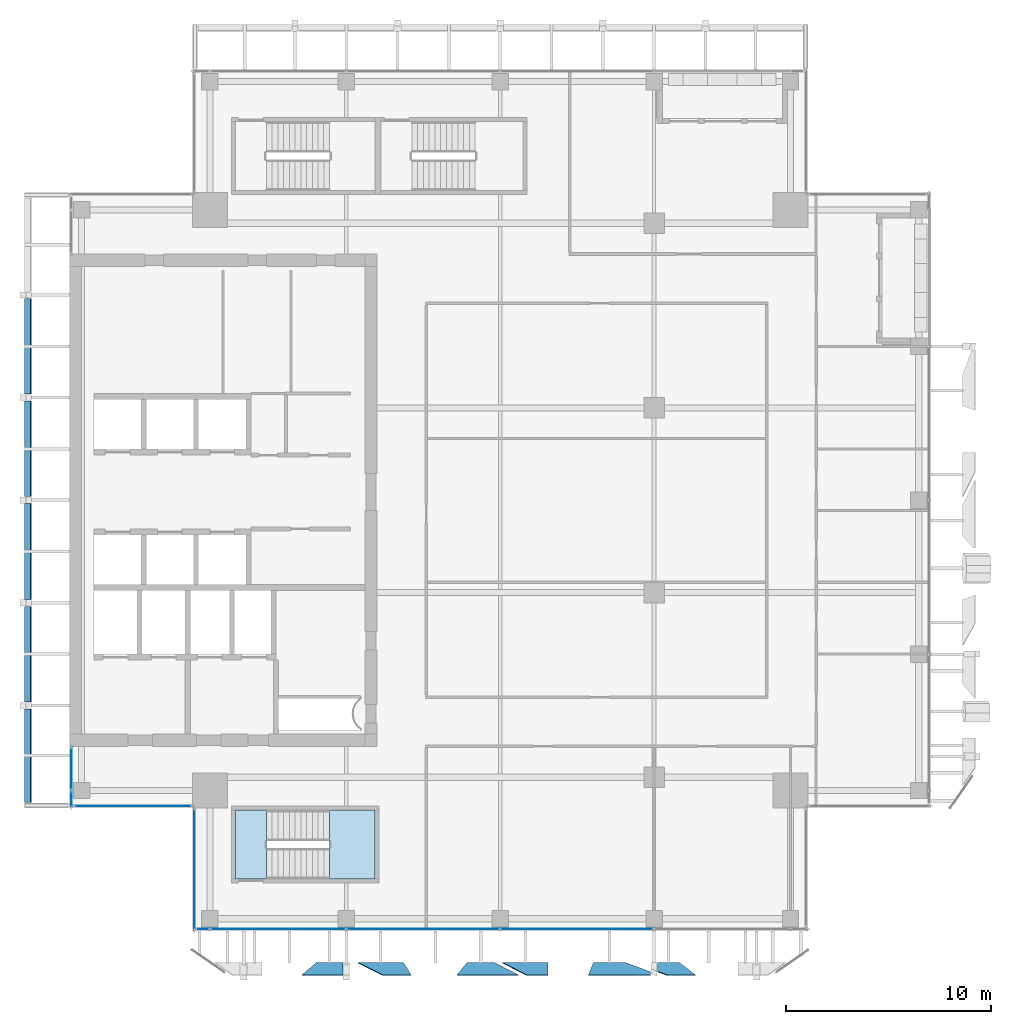
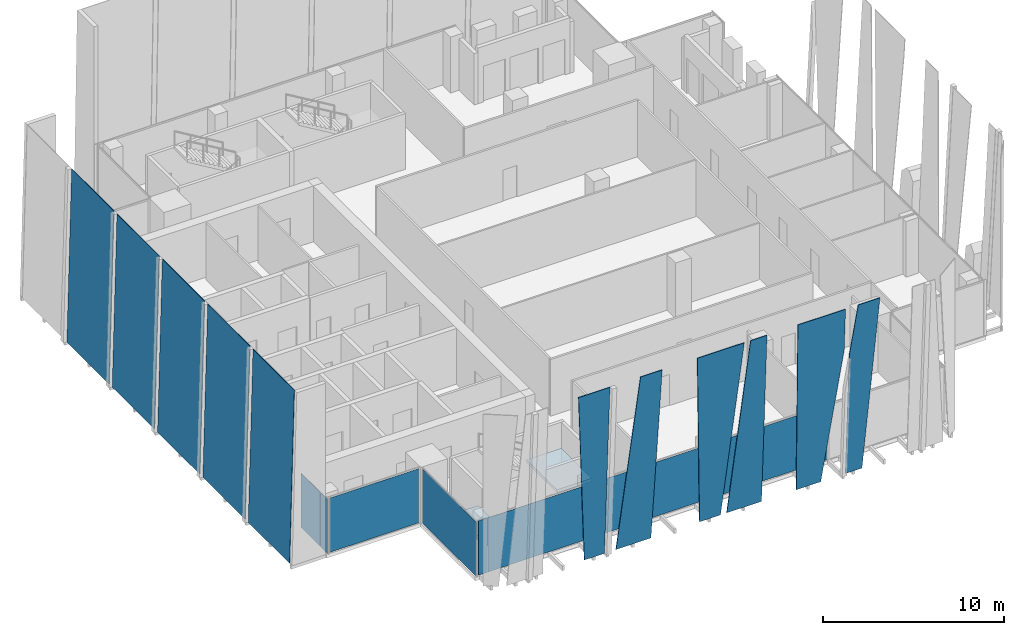
# One storey, part 21 of 33: 19 plates, 2 slabs, 5 elements without a shape of their own.
"""IFC4 building model written with IfcOpenShell, lengths in metres."""

from ifc_helpers import new_model, si_unit, direction, frame, origin, origin_2d, place, context, subcontext, project, spatial, polyline, rectangle, outline, extrude, source, transform, mapped, material, layer, layer_set, type_object, element, aggregate, save


model = new_model("IFC4")

# Units and contexts
model_context = context("Model", 3, precision=1e-05, world=origin(), true_north=direction((0.0, 1.0)))
body_context = subcontext(model_context, "Body", "Model", "MODEL_VIEW")
ifc_project = project(units=[si_unit("LENGTHUNIT", "METRE"), si_unit("AREAUNIT", "SQUARE_METRE"), si_unit("VOLUMEUNIT", "CUBIC_METRE"), si_unit("PLANEANGLEUNIT", "RADIAN"), si_unit("MASSUNIT", "GRAM", prefix="KILO")], contexts=[model_context])

# Site, building, storey
site_placement = place(None, origin())
site = spatial("IfcSite", under=ifc_project, at=site_placement, CompositionType="ELEMENT")
building_placement = place(site_placement, origin())
building = spatial("IfcBuilding", under=site, at=building_placement, Name="Khomas Fold Tower", CompositionType="ELEMENT")
storey_placement = place(building_placement, frame((0.0, 0.0, 294.199951171875)))
storey = spatial("IfcBuildingStorey", under=building, at=storey_placement, Name="L66", CompositionType="ELEMENT", Elevation=294.199951171875)

# Plates
ifc_material_1 = material(Name="Clear laminated glass", Category="glass")
ifc_layer_1 = layer(ifc_material_1, 0.0400390625)
ifc_layer_set_1 = layer_set([ifc_layer_1], Name="Clear laminated glass")
plate_type_1 = type_object("IfcPlateType", Name="SK-Clear laminated glass leaf", PredefinedType="SHEET", material=ifc_layer_set_1)
plate_1_placement = place(storey_placement, frame((22.286865234375, 4.47119140625, 0.0), z_axis=(0.0, 0.99862882819, 0.052349436554), x_axis=(-1.0, 0.0, 0.0)))
element("IfcPlate", 1, at=plate_1_placement, inside=storey, type_object=plate_type_1, Name="OUTER SKIN glass L66 SG100-5", PredefinedType="SHEET", context=body_context, shape_type="SweptSolid", body=[
    extrude(outline(polyline([(0.0, 0.0), (2.223876953125, 0.0), (1.009033203125, 11.565907674683308), (-0.37255859375, 11.565907674683308), (0.0, 0.0)])), origin(), (0.0, 0.0, -1.0), 0.0400390625),
])
plate_2_placement = place(storey_placement, frame((18.05029296875, 4.47119140625, 0.0), z_axis=(0.0, 0.99862882819, 0.052349436554), x_axis=(-0.062276035864, -0.052247824406, 0.996690453552)))
element("IfcPlate", 2, at=plate_2_placement, inside=storey, type_object=plate_type_1, Name="OUTER SKIN glass L66 SG099-6", PredefinedType="SHEET", context=body_context, shape_type="SweptSolid", body=[
    extrude(outline(polyline([(0.0, 0.0), (11.588401180087285, 0.0), (11.46375788369695, 1.9975799281711264), (-0.079699946289112, 1.2773010470203763), (0.0, 0.0)])), origin(), (0.0, 0.0, -1.0), 0.0400390625),
])
plate_3_placement = place(storey_placement, frame((27.117919921875, 4.47119140625, 0.0), z_axis=(0.0, 0.99862882819, 0.052349436554), x_axis=(0.100763799422, -0.052082997617, 0.993546183167)))
element("IfcPlate", 3, at=plate_3_placement, inside=storey, type_object=plate_type_1, Name="OUTER SKIN glass L66 SG101-8", PredefinedType="SHEET", context=body_context, shape_type="SweptSolid", body=[
    extrude(outline(polyline([(0.0, 0.0), (11.625074932410635, 0.0), (11.729947021505875, 1.035474349086901), (0.2229054654684403, 2.2008991501469413), (0.0, 0.0)])), origin(), (0.0, 0.0, -1.0), 0.0400390625),
])
plate_4_placement = place(storey_placement, frame((26.716064453125, 4.47119140625, 0.0), z_axis=(0.0, 0.99862882819, 0.052349436554), x_axis=(-1.0, 0.0, 0.0)))
element("IfcPlate", 4, at=plate_4_placement, inside=storey, type_object=plate_type_1, Name="OUTER SKIN glass L66 SG101-9", PredefinedType="SHEET", context=body_context, shape_type="SweptSolid", body=[
    extrude(outline(polyline([(0.0, 0.0), (1.328857421875, 0.0), (1.82275390625, 11.56590767468331), (-1.17138671875, 11.56590767468331), (0.0, 0.0)])), origin(), (0.0, 0.0, -1.0), 0.0400390625),
])
plate_5_placement = place(storey_placement, frame((35.724609375, 4.47119140625, 0.0), z_axis=(2.8192889e-05, 0.998628887546, 0.05234829667), x_axis=(-0.999999999603, 2.8154234e-05, 1.47585e-06)))
element("IfcPlate", 5, at=plate_5_placement, inside=storey, type_object=plate_type_1, Name="OUTER SKIN glass L66 SG103-11", PredefinedType="SHEET", context=body_context, shape_type="SweptSolid", body=[
    extrude(outline(polyline([(0.0, 0.0), (1.0546874995808466, 2.2333876538931747e-22), (1.0546875015163262, 8.256189614222146), (0.5864257806447503, 11.565907674675772), (-0.7939453125566633, 11.565907674675772), (0.0, 0.0)])), origin(), (0.0, 0.0, -1.0), 0.0400390625),
])
plate_6_placement = place(storey_placement, frame((33.097900390625, 4.47119140625, 0.0), z_axis=(-1.4920416e-05, 0.998628744866, 0.05235102392), x_axis=(-0.999999999889, -1.4899957e-05, -7.81099e-07)))
element("IfcPlate", 6, at=plate_6_placement, inside=storey, type_object=plate_type_1, Name="OUTER SKIN glass L66 SG102-12", PredefinedType="SHEET", context=body_context, shape_type="SweptSolid", body=[
    extrude(outline(polyline([(0.0, 0.0), (1.5559082029518128, -1.6473818886876392e-22), (1.8041992182748696, 11.565907674668695), (-1.2321777345121532, 11.565907674668695), (-1.232177735534482, 8.708470187130795), (0.0, 0.0)])), origin(), (0.0, 0.0, -1.0), 0.0400390625),
])
plate_7_placement = place(storey_placement, frame((3.80615234375, 12.27001953125, 0.0009765625), z_axis=(-0.999657783631, 0.0, 0.026159427089), x_axis=(0.0, 1.0, 0.0)))
element("IfcPlate", 7, at=plate_7_placement, inside=storey, type_object=plate_type_1, Name="OUTER SKIN glass L66 W1", PredefinedType="SHEET", context=body_context, shape_type="SweptSolid", body=[
    extrude(outline(polyline([(0.0, 0.0), (4.56005859375, 0.0), (4.56005859375, -11.554002797007572), (0.0, -11.554002797007572), (0.0, 0.0)])), origin(), (0.0, 0.0, -1.0), 0.0400390625),
])
for number, where, z_axis, x_axis, name in (
    (8, (3.80615234375, 17.169921875, 0.0009765625), (-0.999657783631, 0.0, 0.026159427089), (0.0, 1.0, 0.0), "OUTER SKIN glass L66 W3"),
    (9, (3.80615234375, 22.169921875, 0.0009765625), (-0.999657783631, 0.0, 0.026159427089), (0.0, 1.0, 0.0), "OUTER SKIN glass L66 W5"),
    (10, (3.80615234375, 27.169921875, 0.0009765625), (-0.999657783631, 0.0, 0.026159427089), (0.0, 1.0, 0.0), "OUTER SKIN glass L66 W7"),
    (11, (3.80615234375, 32.169921875, 0.0009765625), (-0.999657783631, 0.0, 0.026159427089), (0.0, 1.0, 0.0), "OUTER SKIN glass L66 W9"),
):
    element("IfcPlate", number, at=place(storey_placement, frame(where, z_axis=z_axis, x_axis=x_axis)), inside=storey, type_object=plate_type_1, Name=name, PredefinedType="SHEET", context=body_context, shape_type="SweptSolid", body=[
        extrude(outline(polyline([(0.0, 0.0), (4.66015625, 0.0), (4.66015625, -11.554002797007573), (0.0, -11.554002797007573), (0.0, 0.0)])), origin(), (0.0, 0.0, -1.0), 0.0400390625),
    ])

# Curtain wall, plates
ifc_material_2 = material(Name="Aluminium framed double glazing", Category="aluminium")
curtain_wall_type = type_object("IfcCurtainWallType", Name="SK-Unitised clear-glass wall, upper floors CW3", PredefinedType="NOTDEFINED", material=ifc_material_2)
curtain_wall_1_placement = place(storey_placement, origin())
curtain_wall_1 = element("IfcCurtainWall", 12, at=curtain_wall_1_placement, inside=storey, type_object=curtain_wall_type, Name="CW3 run L66 00-0", PredefinedType="NOTDEFINED")
ifc_material_3 = material(Name="Clear double glazed unit")
ifc_layer_2 = layer(ifc_material_3, 0.028076171875)
ifc_layer_set_2 = layer_set([ifc_layer_2], Name="Clear double glazed unit")
plate_type_2 = type_object("IfcPlateType", Name="SK-Unitised clear-glass wall, upper floors glass panel CW3-P", PredefinedType="CURTAIN_PANEL", material=ifc_layer_set_2)
shared_shape_1 = source(origin(), body_context, "Body", "SweptSolid", [
    extrude(rectangle(XDim=0.574951171875, YDim=0.028076171875, at=origin_2d()), origin(), (0.0, 0.0, 1.0), 3.64990234375),
])
plate_8_placement = place(storey_placement, frame((12.53759765625, 6.10009765625, 0.0), z_axis=(0.0, 0.0, 1.0), x_axis=(1.0, 0.0, 0.0)))
plate_8 = element("IfcPlate", 13, at=plate_8_placement, type_object=plate_type_2, Name="CW3 glass panel 1", PredefinedType="CURTAIN_PANEL", context=body_context, shape_type="MappedRepresentation", body=[
    mapped(shared_shape_1, transform((0.0, 0.0, 0.0))),
])
shared_shape_2 = source(origin(), body_context, "Body", "SweptSolid", [
    extrude(rectangle(XDim=6.60009765625, YDim=0.028076171875, at=origin_2d()), origin(), (0.0, 0.0, 1.0), 3.64990234375),
])
plate_9_placement = place(storey_placement, frame((16.175048828125, 6.10009765625, 0.0), z_axis=(0.0, 0.0, 1.0), x_axis=(1.0, 0.0, 0.0)))
plate_9 = element("IfcPlate", 14, at=plate_9_placement, type_object=plate_type_2, Name="CW3 glass panel 2", PredefinedType="CURTAIN_PANEL", context=body_context, shape_type="MappedRepresentation", body=[
    mapped(shared_shape_2, transform((0.0, 0.0, 0.0))),
])
shared_shape_3 = source(origin(), body_context, "Body", "SweptSolid", [
    extrude(rectangle(XDim=7.449951171875, YDim=0.028076171875, at=origin_2d()), origin(), (0.0, 0.0, 1.0), 3.64990234375),
])
plate_10_placement = place(storey_placement, frame((23.25, 6.10009765625, 0.0), z_axis=(0.0, 0.0, 1.0), x_axis=(1.0, 0.0, 0.0)))
plate_10 = element("IfcPlate", 15, at=plate_10_placement, type_object=plate_type_2, Name="CW3 glass panel 3", PredefinedType="CURTAIN_PANEL", context=body_context, shape_type="MappedRepresentation", body=[
    mapped(shared_shape_3, transform((0.0, 0.0, 0.0))),
])
plate_11_placement = place(storey_placement, frame((30.75, 6.10009765625, 0.0), z_axis=(0.0, 0.0, 1.0), x_axis=(1.0, 0.0, 0.0)))
plate_11 = element("IfcPlate", 16, at=plate_11_placement, type_object=plate_type_2, Name="CW3 glass panel 4", PredefinedType="CURTAIN_PANEL", context=body_context, shape_type="MappedRepresentation", body=[
    mapped(shared_shape_3, transform((0.0, 0.0, 0.0))),
])
aggregate(curtain_wall_1, [plate_8, plate_9, plate_10, plate_11])

# Curtain wall, plate
curtain_wall_2_placement = place(storey_placement, origin())
curtain_wall_2 = element("IfcCurtainWall", 17, at=curtain_wall_2_placement, inside=storey, type_object=curtain_wall_type, Name="CW3 run L66 09-1", PredefinedType="NOTDEFINED")
shared_shape_4 = source(origin(), body_context, "Body", "SweptSolid", [
    extrude(rectangle(XDim=0.77490234375, YDim=0.028076171875, at=origin_2d()), origin(), (0.0, 0.0, 1.0), 3.64990234375),
])
plate_12_placement = place(storey_placement, frame((6.10009765625, 12.4375, 0.0), z_axis=(0.0, 0.0, 1.0), x_axis=(0.0, -1.0, 0.0)))
plate_12 = element("IfcPlate", 18, at=plate_12_placement, type_object=plate_type_2, Name="CW3 glass panel 2", PredefinedType="CURTAIN_PANEL", context=body_context, shape_type="MappedRepresentation", body=[
    mapped(shared_shape_4, transform((0.0, 0.0, 0.0))),
])

curtain_wall_3_placement = place(storey_placement, origin())
curtain_wall_3 = element("IfcCurtainWall", 19, at=curtain_wall_3_placement, inside=storey, type_object=curtain_wall_type, Name="CW3 corner return L66 10", PredefinedType="NOTDEFINED")
shared_shape_5 = source(origin(), body_context, "Body", "SweptSolid", [
    extrude(rectangle(XDim=5.699951171875, YDim=0.028076171875, at=origin_2d()), origin(), (0.0, 0.0, 1.0), 3.64990234375),
])
plate_13_placement = place(storey_placement, frame((9.10009765625, 12.10009765625, 0.0), z_axis=(0.0, 0.0, 1.0), x_axis=(1.0, 0.0, 0.0)))
plate_13 = element("IfcPlate", 20, at=plate_13_placement, type_object=plate_type_2, Name="CW3 glass panel 1", PredefinedType="CURTAIN_PANEL", context=body_context, shape_type="MappedRepresentation", body=[
    mapped(shared_shape_5, transform((0.0, 0.0, 0.0))),
])
aggregate(curtain_wall_3, [plate_13])

curtain_wall_4_placement = place(storey_placement, origin())
curtain_wall_4 = element("IfcCurtainWall", 21, at=curtain_wall_4_placement, inside=storey, type_object=curtain_wall_type, Name="CW3 corner return L66 11", PredefinedType="NOTDEFINED")
shared_shape_6 = source(origin(), body_context, "Body", "SweptSolid", [
    extrude(rectangle(XDim=5.89990234375, YDim=0.028076171875, at=origin_2d()), origin(), (0.0, 0.0, 1.0), 3.64990234375),
])
plate_14_placement = place(storey_placement, frame((12.10009765625, 9.0, 0.0), z_axis=(0.0, 0.0, 1.0), x_axis=(0.0, -1.0, 0.0)))
plate_14 = element("IfcPlate", 22, at=plate_14_placement, type_object=plate_type_2, Name="CW3 glass panel 1", PredefinedType="CURTAIN_PANEL", context=body_context, shape_type="MappedRepresentation", body=[
    mapped(shared_shape_6, transform((0.0, 0.0, 0.0))),
])
aggregate(curtain_wall_4, [plate_14])

# Plate
shared_shape_7 = source(origin(), body_context, "Body", "SweptSolid", [
    extrude(rectangle(XDim=2.074951171875, YDim=0.028076171875, at=origin_2d()), origin(), (0.0, 0.0, 1.0), 3.64990234375),
])
plate_15_placement = place(storey_placement, frame((6.10009765625, 13.91259765625, 0.0), z_axis=(0.0, 0.0, 1.0), x_axis=(0.0, -1.0, 0.0)))
plate_15 = element("IfcPlate", 23, at=plate_15_placement, type_object=plate_type_2, Name="CW3 glass panel 1", PredefinedType="CURTAIN_PANEL", context=body_context, shape_type="MappedRepresentation", body=[
    mapped(shared_shape_7, transform((0.0, 0.0, 0.0))),
])

aggregate(curtain_wall_2, [plate_15, plate_12])

# Stair, slab
ifc_material_4 = material(Name="Concrete C40/50", Category="concrete")
stair_type = type_object("IfcStairType", Name="Stair ST2", PredefinedType="HALF_TURN_STAIR", material=ifc_material_4)
stair_placement = place(storey_placement, origin())
stair = element("IfcStair", 24, at=stair_placement, inside=storey, type_object=stair_type, Name="L66 ST2", PredefinedType="HALF_TURN_STAIR")
ifc_material_5 = material(Name="Concrete C40/50", Category="concrete")
ifc_layer_3 = layer(ifc_material_5, 0.199951171875)
ifc_layer_set_3 = layer_set([ifc_layer_3], Name="Concrete C40/50")
slab_type_1 = type_object("IfcSlabType", Name="Stair landing 200", PredefinedType="LANDING", material=ifc_layer_set_3)
shared_shape_8 = source(origin(), body_context, "Body", "SweptSolid", [
    extrude(outline(polyline([(18.679931640625, 8.550048828125), (20.89990234375, 8.550048828125), (20.89990234375, 11.89990234375), (18.679931640625, 11.89990234375), (18.679931640625, 8.550048828125)])), origin(), (0.0, 0.0, 1.0), 0.199951171875),
])
slab_1_placement = place(storey_placement, frame((0.0, 0.0, 1.800048828125)))
slab_1 = element("IfcSlab", 25, at=slab_1_placement, type_object=slab_type_1, Name="ST2 landing 1", PredefinedType="LANDING", context=body_context, shape_type="MappedRepresentation", body=[
    mapped(shared_shape_8, transform((0.0, 0.0, 0.0))),
])
aggregate(stair, [slab_1])

# Slab
ifc_material_6 = material(Name="Concrete C40/50", Category="concrete")
ifc_layer_4 = layer(ifc_material_6, 0.25)
ifc_layer_set_4 = layer_set([ifc_layer_4], Name="Concrete C40/50")
slab_type_2 = type_object("IfcSlabType", Name="Stair floor landing 250", PredefinedType="LANDING", material=ifc_layer_set_4)
shared_shape_9 = source(origin(), body_context, "Body", "SweptSolid", [
    extrude(outline(polyline([(15.60009765625, 8.550048828125), (14.10009765625, 8.550048828125), (14.10009765625, 11.89990234375), (15.60009765625, 11.89990234375), (15.60009765625, 8.550048828125)])), origin(), (0.0, 0.0, 1.0), 0.25),
])
slab_2_placement = place(storey_placement, frame((0.0, 0.0, -0.25)))
element("IfcSlab", 26, at=slab_2_placement, inside=storey, type_object=slab_type_2, Name="ST2 floor landing", PredefinedType="LANDING", context=body_context, shape_type="MappedRepresentation", body=[
    mapped(shared_shape_9, transform((0.0, 0.0, 0.0))),
])

save(model, "model.ifc")
